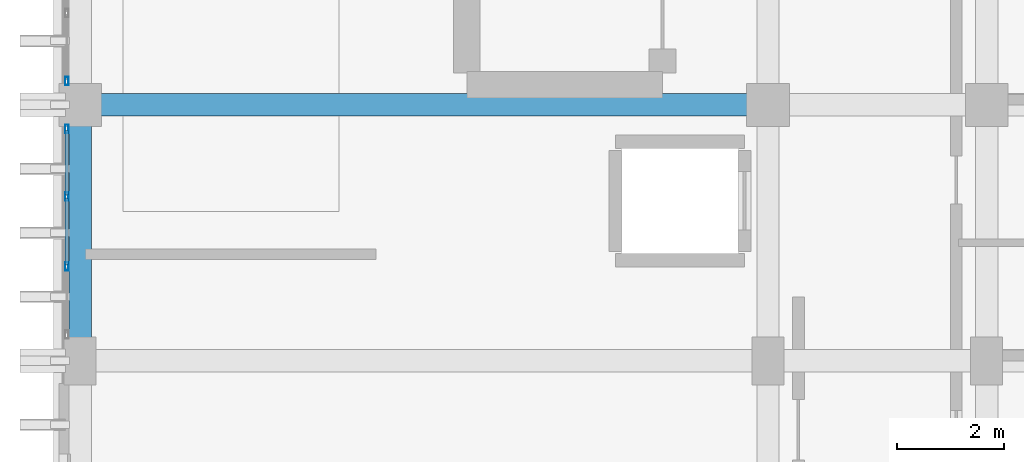
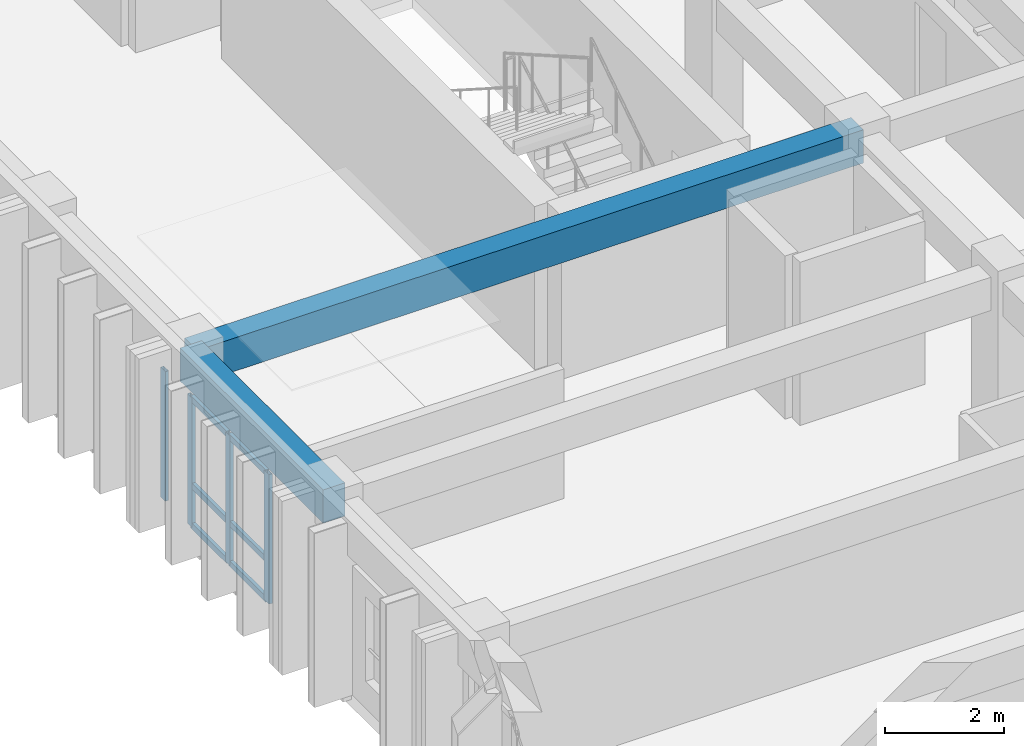
# One storey, part 28 of 82: 10 members, 2 beams, 2 elements without a shape of their own.
"""IFC4 building model written with IfcOpenShell, lengths in metres."""

from ifc_helpers import new_model, si_unit, direction, frame, origin, origin_2d, place, context, subcontext, project, spatial, rectangle, hollow_rectangle, extrude, material, layer, layer_set, material_profile, profile_set, type_object, element, aggregate, save


model = new_model("IFC4")

# Units and contexts
model_context = context("Model", 3, precision=1e-05, world=origin(), true_north=direction((0.0, 1.0)))
body_context = subcontext(model_context, "Body", "Model", "MODEL_VIEW")
ifc_project = project(units=[si_unit("LENGTHUNIT", "METRE"), si_unit("AREAUNIT", "SQUARE_METRE"), si_unit("VOLUMEUNIT", "CUBIC_METRE"), si_unit("PLANEANGLEUNIT", "RADIAN"), si_unit("MASSUNIT", "GRAM", prefix="KILO")], contexts=[model_context])

# Site, building, storey
site_placement = place(None, origin())
site = spatial("IfcSite", under=ifc_project, at=site_placement, CompositionType="ELEMENT")
building_placement = place(site_placement, origin())
building = spatial("IfcBuilding", under=site, at=building_placement, Name="Nakhvara Creek Congress Hotel", CompositionType="ELEMENT")
storey_placement = place(building_placement, frame((0.0, 0.0, 21.0)))
storey = spatial("IfcBuildingStorey", under=building, at=storey_placement, Name="L04", CompositionType="ELEMENT", Elevation=21.0)

# Beams
ifc_material_1 = material(Name="Concrete C40/50", Category="concrete")
ifc_material_profile_1 = material_profile(ifc_material_1, rectangle(XDim=0.419921875, YDim=0.679931640625, at=origin_2d()), Name="RC-BM 420x680", Category="LoadBearing")
ifc_profile_set_1 = profile_set([ifc_material_profile_1], Name="Concrete C40/50")
beam_type = type_object("IfcBeamType", Name="BM-RC-420X680", PredefinedType="BEAM", material=ifc_profile_set_1)
beam_1_placement = place(storey_placement, frame((149.449951171875, 76.800048828125, 3.0), z_axis=(1.0, 0.0, 0.0), x_axis=(0.0, 1.0, 0.0)))
element("IfcBeam", 1, at=beam_1_placement, inside=storey, type_object=beam_type, Name="Beam B11-L04-1926", PredefinedType="BEAM", context=body_context, shape_type="SweptSolid", body=[
    extrude(rectangle(XDim=0.419921875, YDim=0.679931640625, at=origin_2d()), origin(), (0.0, 0.0, 1.0), 12.900146484375),
])
beam_2_placement = place(storey_placement, frame((149.449951171875, 72.0, 3.0), z_axis=(0.0, 1.0, 0.0), x_axis=(-1.0, 0.0, 0.0)))
element("IfcBeam", 2, at=beam_2_placement, inside=storey, type_object=beam_type, Name="Beam B11-L04-1927", PredefinedType="BEAM", context=body_context, shape_type="SweptSolid", body=[
    extrude(rectangle(XDim=0.419921875, YDim=0.679931640625, at=origin_2d()), origin(), (0.0, 0.0, 1.0), 4.800048828125),
])

# Curtain wall, members
ifc_material_2 = material(Name="Bronze-anodised aluminium AW-6063-T6 and double-silver low-E glass", Category="aluminium")
ifc_layer = layer(ifc_material_2, 0.199951171875)
ifc_layer_set = layer_set([ifc_layer], Name="Bronze-anodised aluminium AW-6063-T6 and double-silver low-E glass")
curtain_wall_type = type_object("IfcCurtainWallType", Name="CW-HTL-UNIT", PredefinedType="USERDEFINED", material=ifc_layer_set)
curtain_wall_1_placement = place(storey_placement, origin())
curtain_wall_1 = element("IfcCurtainWall", 3, at=curtain_wall_1_placement, inside=storey, type_object=curtain_wall_type, Name="Curtain Wall CW187", ObjectType="UNITISED", PredefinedType="USERDEFINED")
ifc_material_3 = material(Name="Bronze-anodised aluminium AW-6063-T6", Category="aluminium")
ifc_material_profile_2 = material_profile(ifc_material_3, hollow_rectangle(XDim=0.06494140625, YDim=0.159912109375, WallThickness=0.00390625, at=origin_2d()), Name="ALU-MULL 65x160x4", Category="LoadBearing")
ifc_profile_set_2 = profile_set([ifc_material_profile_2], Name="Bronze-anodised aluminium AW-6063-T6")
member_type_1 = type_object("IfcMemberType", Name="CW-MULL-160", PredefinedType="MULLION", material=ifc_profile_set_2)
member_1_placement = place(storey_placement, frame((149.199951171875, 73.771728515625, 0.0), z_axis=(0.0, 0.0, 1.0), x_axis=(-1.0, 0.0, 0.0)))
member_1 = element("IfcMember", 4, at=member_1_placement, type_object=member_type_1, Name="CW187 mullion 2", PredefinedType="MULLION", context=body_context, shape_type="SweptSolid", body=[
    extrude(hollow_rectangle(XDim=0.06494140625, YDim=0.159912109375, WallThickness=0.00390625, at=origin_2d()), origin(), (0.0, 0.0, 1.0), 2.652099609375),
])
member_2_placement = place(storey_placement, frame((149.199951171875, 75.078369140625, 0.0), z_axis=(0.0, 0.0, 1.0), x_axis=(-1.0, 0.0, 0.0)))
member_2 = element("IfcMember", 5, at=member_2_placement, type_object=member_type_1, Name="CW187 mullion 3", PredefinedType="MULLION", context=body_context, shape_type="SweptSolid", body=[
    extrude(hollow_rectangle(XDim=0.06494140625, YDim=0.159912109375, WallThickness=0.00390625, at=origin_2d()), origin(), (0.0, 0.0, 1.0), 2.652099609375),
])
member_3_placement = place(storey_placement, frame((149.199951171875, 76.3525390625, 0.0), z_axis=(0.0, 0.0, 1.0), x_axis=(-1.0, 0.0, 0.0)))
member_3 = element("IfcMember", 6, at=member_3_placement, type_object=member_type_1, Name="CW187 mullion 4", PredefinedType="MULLION", context=body_context, shape_type="SweptSolid", body=[
    extrude(hollow_rectangle(XDim=0.06494140625, YDim=0.159912109375, WallThickness=0.00390625, at=origin_2d()), origin(), (0.0, 0.0, 1.0), 2.652099609375),
])

# Curtain wall, member
curtain_wall_2_placement = place(storey_placement, origin())
curtain_wall_2 = element("IfcCurtainWall", 7, at=curtain_wall_2_placement, inside=storey, type_object=curtain_wall_type, Name="Curtain Wall CW189", ObjectType="UNITISED", PredefinedType="USERDEFINED")
member_4_placement = place(storey_placement, frame((149.199951171875, 77.24755859375, 0.0), z_axis=(0.0, 0.0, 1.0), x_axis=(-1.0, 0.0, 0.0)))
member_4 = element("IfcMember", 8, at=member_4_placement, type_object=member_type_1, Name="CW189 mullion 1", PredefinedType="MULLION", context=body_context, shape_type="SweptSolid", body=[
    extrude(hollow_rectangle(XDim=0.06494140625, YDim=0.159912109375, WallThickness=0.00390625, at=origin_2d()), origin(), (0.0, 0.0, 1.0), 2.652099609375),
])
aggregate(curtain_wall_2, [member_4])

# Member
ifc_material_profile_3 = material_profile(ifc_material_3, hollow_rectangle(XDim=0.06494140625, YDim=0.1201171875, WallThickness=0.00390625, at=origin_2d()), Name="ALU-TRAN 65x120x4", Category="LoadBearing")
ifc_profile_set_3 = profile_set([ifc_material_profile_3], Name="Bronze-anodised aluminium AW-6063-T6")
member_type_2 = type_object("IfcMemberType", Name="CW-TRAN-120", PredefinedType="USERDEFINED", material=ifc_profile_set_3)
member_5_placement = place(storey_placement, frame((149.199951171875, 73.80419921875, 0.032470703125), z_axis=(0.0, 1.0, 0.0), x_axis=(-1.0, 0.0, 0.0)))
member_5 = element("IfcMember", 9, at=member_5_placement, type_object=member_type_2, Name="CW187 transom 2.1", ObjectType="TRANSOM", PredefinedType="USERDEFINED", context=body_context, shape_type="SweptSolid", body=[
    extrude(hollow_rectangle(XDim=0.06494140625, YDim=0.1201171875, WallThickness=0.00390625, at=origin_2d()), origin(), (0.0, 0.0, 1.0), 1.24169921875),
])

member_6_placement = place(storey_placement, frame((149.199951171875, 73.80419921875, 0.85009765625), z_axis=(0.0, 1.0, 0.0), x_axis=(-1.0, 0.0, 0.0)))
member_6 = element("IfcMember", 10, at=member_6_placement, type_object=member_type_2, Name="CW187 transom 2.2", ObjectType="TRANSOM", PredefinedType="USERDEFINED", context=body_context, shape_type="SweptSolid", body=[
    extrude(hollow_rectangle(XDim=0.06494140625, YDim=0.1201171875, WallThickness=0.00390625, at=origin_2d()), origin(), (0.0, 0.0, 1.0), 1.24169921875),
])

member_7_placement = place(storey_placement, frame((149.199951171875, 73.80419921875, 2.619384765625), z_axis=(0.0, 1.0, 0.0), x_axis=(-1.0, 0.0, 0.0)))
member_7 = element("IfcMember", 11, at=member_7_placement, type_object=member_type_2, Name="CW187 transom 2.3", ObjectType="TRANSOM", PredefinedType="USERDEFINED", context=body_context, shape_type="SweptSolid", body=[
    extrude(hollow_rectangle(XDim=0.06494140625, YDim=0.1201171875, WallThickness=0.00390625, at=origin_2d()), origin(), (0.0, 0.0, 1.0), 1.24169921875),
])

member_8_placement = place(storey_placement, frame((149.199951171875, 75.11083984375, 0.032470703125), z_axis=(0.0, 1.0, 0.0), x_axis=(-1.0, 0.0, 0.0)))
member_8 = element("IfcMember", 12, at=member_8_placement, type_object=member_type_2, Name="CW187 transom 3.1", ObjectType="TRANSOM", PredefinedType="USERDEFINED", context=body_context, shape_type="SweptSolid", body=[
    extrude(hollow_rectangle(XDim=0.06494140625, YDim=0.1201171875, WallThickness=0.00390625, at=origin_2d()), origin(), (0.0, 0.0, 1.0), 1.209228515625),
])

member_9_placement = place(storey_placement, frame((149.199951171875, 75.11083984375, 0.85009765625), z_axis=(0.0, 1.0, 0.0), x_axis=(-1.0, 0.0, 0.0)))
member_9 = element("IfcMember", 13, at=member_9_placement, type_object=member_type_2, Name="CW187 transom 3.2", ObjectType="TRANSOM", PredefinedType="USERDEFINED", context=body_context, shape_type="SweptSolid", body=[
    extrude(hollow_rectangle(XDim=0.06494140625, YDim=0.1201171875, WallThickness=0.00390625, at=origin_2d()), origin(), (0.0, 0.0, 1.0), 1.209228515625),
])

member_10_placement = place(storey_placement, frame((149.199951171875, 75.11083984375, 2.619384765625), z_axis=(0.0, 1.0, 0.0), x_axis=(-1.0, 0.0, 0.0)))
member_10 = element("IfcMember", 14, at=member_10_placement, type_object=member_type_2, Name="CW187 transom 3.3", ObjectType="TRANSOM", PredefinedType="USERDEFINED", context=body_context, shape_type="SweptSolid", body=[
    extrude(hollow_rectangle(XDim=0.06494140625, YDim=0.1201171875, WallThickness=0.00390625, at=origin_2d()), origin(), (0.0, 0.0, 1.0), 1.209228515625),
])

aggregate(curtain_wall_1, [member_1, member_2, member_3, member_5, member_6, member_7, member_8, member_9, member_10])

save(model, "model.ifc")
